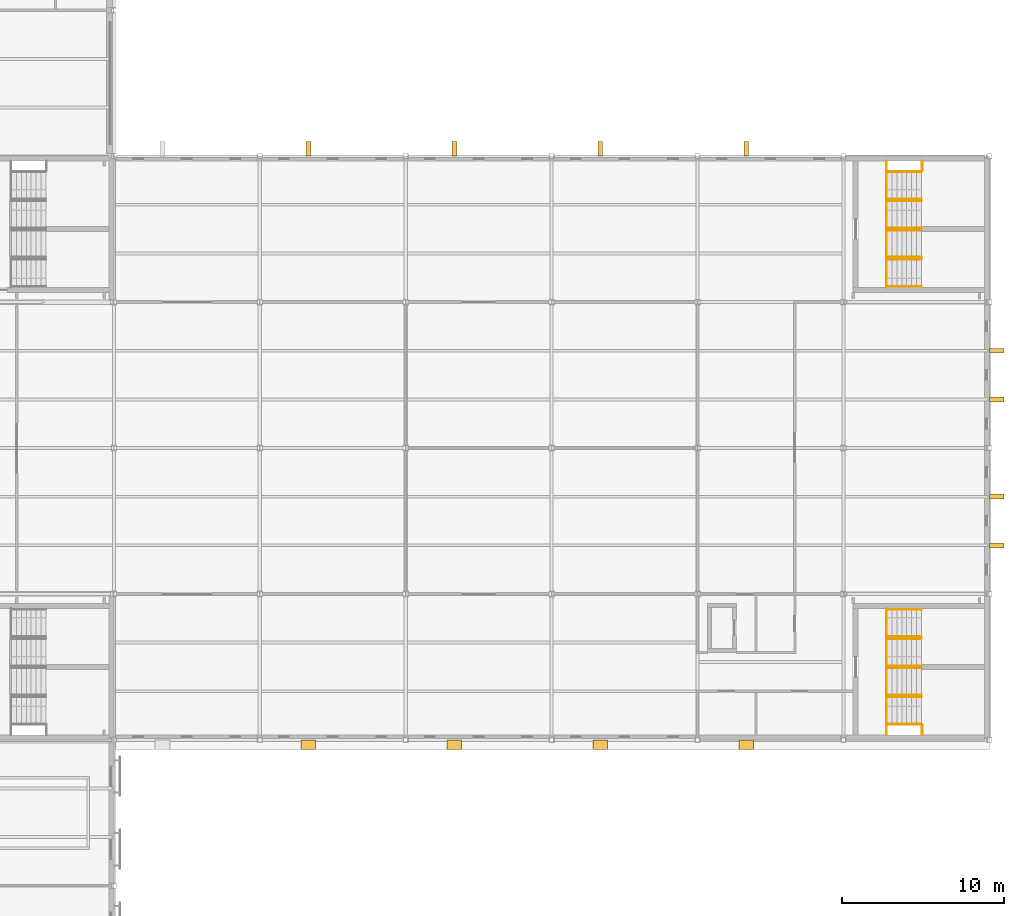
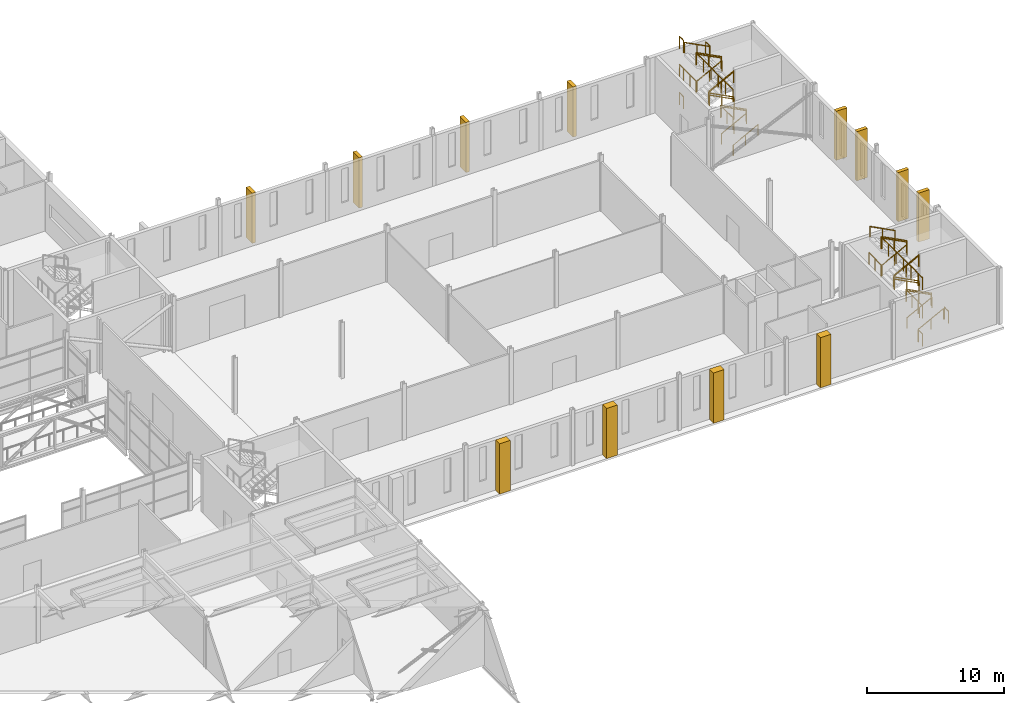
# One storey, part 115 of 115: 38 railings, 12 shading devices.
"""IFC4 building model written with IfcOpenShell, lengths in metres."""

from ifc_helpers import new_model, si_unit, direction, frame, origin, origin_2d, place, context, subcontext, project, spatial, rectangle, circle, extrude, material, layer, layer_set, type_object, element, save


model = new_model("IFC4")

# Units and contexts
model_context = context("Model", 3, precision=1e-05, world=origin(), true_north=direction((0.0, 1.0)))
body_context = subcontext(model_context, "Body", "Model", "MODEL_VIEW")
ifc_project = project(units=[si_unit("LENGTHUNIT", "METRE"), si_unit("AREAUNIT", "SQUARE_METRE"), si_unit("VOLUMEUNIT", "CUBIC_METRE"), si_unit("PLANEANGLEUNIT", "RADIAN"), si_unit("MASSUNIT", "GRAM", prefix="KILO")], contexts=[model_context])

# Site, building, storey
site_placement = place(None, origin())
site = spatial("IfcSite", under=ifc_project, at=site_placement, CompositionType="ELEMENT")
building_placement = place(site_placement, origin())
building = spatial("IfcBuilding", under=site, at=building_placement, Name="Shorebreak Coast Museum", CompositionType="ELEMENT")
storey_placement = place(building_placement, frame((0.0, 0.0, 11.0)))
storey = spatial("IfcBuildingStorey", under=building, at=storey_placement, Name="L02", CompositionType="ELEMENT", Elevation=11.0)

# Shading devices
ifc_material_1 = material(Name="Precast concrete C40/50", Category="concrete")
ifc_layer_1 = layer(ifc_material_1, 0.89990234375)
ifc_layer_set_1 = layer_set([ifc_layer_1], Name="Precast concrete C40/50")
shading_device_type_1 = type_object("IfcShadingDeviceType", Name="Precast rib 900 x 600", PredefinedType="USERDEFINED", material=ifc_layer_set_1)
for number, where, z_axis, x_axis, name in (
    (1, (129.0, 53.699951171875, 0.0), (0.0, 0.0, 1.0), (1.0, 0.0, 0.0), "Precast rib L02 S21"),
    (2, (138.0, 53.699951171875, 0.0), (0.0, 0.0, 1.0), (1.0, 0.0, 0.0), "Precast rib L02 S22"),
    (3, (147.0, 53.699951171875, 0.0), (0.0, 0.0, 1.0), (1.0, 0.0, 0.0), "Precast rib L02 S23"),
    (4, (156.0, 53.699951171875, 0.0), (0.0, 0.0, 1.0), (1.0, 0.0, 0.0), "Precast rib L02 S24"),
):
    element("IfcShadingDevice", number, at=place(storey_placement, frame(where, z_axis=z_axis, x_axis=x_axis)), inside=storey, type_object=shading_device_type_1, Name=name, ObjectType="FIN", PredefinedType="USERDEFINED", context=body_context, shape_type="SweptSolid", body=[
        extrude(rectangle(XDim=0.89990234375, YDim=0.60009765625, at=origin_2d()), origin(), (0.0, 0.0, 1.0), 4.469482421875),
    ])

# Railings
ifc_material_2 = material(Name="Steel Grade 300", Category="steel")
railing_type_1 = type_object("IfcRailingType", Name="Stair guard 1100", PredefinedType="GUARDRAIL", material=ifc_material_2)
for number, where, name in (
    (5, (164.64990234375, 54.89990234375, 2.5), "Guard ST07 L02 landing mid1"),
    (6, (164.64990234375, 60.300048828125, 2.5), "Guard ST07 L02 landing mid1"),
):
    element("IfcRailing", number, at=place(storey_placement, frame(where)), inside=storey, type_object=railing_type_1, Name=name, PredefinedType="GUARDRAIL", context=body_context, shape_type="SweptSolid", body=[
        extrude(circle(Radius=0.02490234375, at=origin_2d()), frame((0.0, 0.0, 1.0751953125), z_axis=(0.0, 1.0, 0.0), x_axis=(-1.0, 0.0, 0.0)), (0.0, 0.0, 1.0), 1.800048828125),
        extrude(circle(Radius=0.02001953125, at=origin_2d()), origin(), (0.0, 0.0, 1.0), 1.050048828125),
        extrude(circle(Radius=0.02001953125, at=origin_2d()), frame((0.0, 0.89990234375, 0.0)), (0.0, 0.0, 1.0), 1.050048828125),
        extrude(circle(Radius=0.02001953125, at=origin_2d()), frame((0.0, 1.800048828125, 0.0)), (0.0, 0.0, 1.0), 1.050048828125),
    ])
railing_1_placement = place(storey_placement, frame((164.64990234375, 54.89990234375, 5.0)))
element("IfcRailing", 7, at=railing_1_placement, inside=storey, type_object=railing_type_1, Name="Guard ST07 L02 landing top", PredefinedType="GUARDRAIL", context=body_context, shape_type="SweptSolid", body=[
    extrude(circle(Radius=0.02490234375, at=origin_2d()), frame((0.0, 0.0, 1.0751953125), z_axis=(0.0, 1.0, 0.0), x_axis=(-1.0, 0.0, 0.0)), (0.0, 0.0, 1.0), 5.400146484375),
    extrude(circle(Radius=0.02001953125, at=origin_2d()), origin(), (0.0, 0.0, 1.0), 1.050048828125),
    extrude(circle(Radius=0.02001953125, at=origin_2d()), frame((0.0, 1.080078125, 0.0)), (0.0, 0.0, 1.0), 1.050048828125),
    extrude(circle(Radius=0.02001953125, at=origin_2d()), frame((0.0, 2.16015625, 0.0)), (0.0, 0.0, 1.0), 1.050048828125),
    extrude(circle(Radius=0.02001953125, at=origin_2d()), frame((0.0, 3.239990234375, 0.0)), (0.0, 0.0, 1.0), 1.050048828125),
    extrude(circle(Radius=0.02001953125, at=origin_2d()), frame((0.0, 4.320068359375, 0.0)), (0.0, 0.0, 1.0), 1.050048828125),
    extrude(circle(Radius=0.02001953125, at=origin_2d()), frame((0.0, 5.400146484375, 0.0)), (0.0, 0.0, 1.0), 1.050048828125),
])
for number, where, name in (
    (8, (164.64990234375, 54.300048828125, 0.0), "Guard ST07 L02 landing strip"),
    (9, (164.64990234375, 54.300048828125, 2.5), "Guard ST07 L02 landing strip"),
    (10, (166.85009765625, 54.300048828125, 1.25), "Guard ST07 L02 landing strip"),
    (11, (164.64990234375, 54.300048828125, 5.0), "Guard ST07 L02 landing strip"),
):
    element("IfcRailing", number, at=place(storey_placement, frame(where)), inside=storey, type_object=railing_type_1, Name=name, PredefinedType="GUARDRAIL", context=body_context, shape_type="SweptSolid", body=[
        extrude(circle(Radius=0.02490234375, at=origin_2d()), frame((0.0, 0.0, 1.0751953125), z_axis=(0.0, 1.0, 0.0), x_axis=(-1.0, 0.0, 0.0)), (0.0, 0.0, 1.0), 0.599853515625),
        extrude(circle(Radius=0.02001953125, at=origin_2d()), origin(), (0.0, 0.0, 1.0), 1.050048828125),
        extrude(circle(Radius=0.02001953125, at=origin_2d()), frame((0.0, 0.599853515625, 0.0)), (0.0, 0.0, 1.0), 1.050048828125),
    ])
for number, where, name in (
    (12, (166.800048828125, 56.699951171875, 1.40625), "Guard ST07-L02 well 1"),
    (13, (166.800048828125, 60.300048828125, 3.90625), "Guard ST07-L02 well 2"),
    (14, (166.800048828125, 58.5, 1.40625), "Guard ST07-L02 side 1"),
):
    element("IfcRailing", number, at=place(storey_placement, frame(where)), inside=storey, type_object=railing_type_1, Name=name, PredefinedType="GUARDRAIL", context=body_context, shape_type="SweptSolid", body=[
        extrude(circle(Radius=0.02490234375, at=origin_2d()), frame((0.0, 0.0, 1.0751953125), z_axis=(-0.8869228845, 0.0, 0.461917521804), x_axis=(0.0, -1.0, 0.0)), (0.0, 0.0, 1.0), 2.367919921875),
        extrude(circle(Radius=0.02001953125, at=origin_2d()), origin(), (0.0, 0.0, 1.0), 1.050048828125),
        extrude(circle(Radius=0.02001953125, at=origin_2d()), frame((-1.050048828125, 0.0, 0.546875)), (0.0, 0.0, 1.0), 1.050048828125),
        extrude(circle(Radius=0.02001953125, at=origin_2d()), frame((-2.10009765625, 0.0, 1.09375)), (0.0, 0.0, 1.0), 1.050048828125),
    ])
railing_2_placement = place(storey_placement, frame((164.699951171875, 58.5, 2.65625)))
element("IfcRailing", 15, at=railing_2_placement, inside=storey, type_object=railing_type_1, Name="Guard ST07-L02 side 2", PredefinedType="GUARDRAIL", context=body_context, shape_type="SweptSolid", body=[
    extrude(circle(Radius=0.02490234375, at=origin_2d()), frame((0.0, 0.0, 1.0751953125), z_axis=(0.8869228845, 0.0, 0.461917521804), x_axis=(0.0, 1.0, 0.0)), (0.0, 0.0, 1.0), 2.367919921875),
    extrude(circle(Radius=0.02001953125, at=origin_2d()), origin(), (0.0, 0.0, 1.0), 1.050048828125),
    extrude(circle(Radius=0.02001953125, at=origin_2d()), frame((1.050048828125, 0.0, 0.546875)), (0.0, 0.0, 1.0), 1.050048828125),
    extrude(circle(Radius=0.02001953125, at=origin_2d()), frame((2.10009765625, 0.0, 1.09375)), (0.0, 0.0, 1.0), 1.050048828125),
])
for number, where, name in (
    (16, (164.64990234375, 81.89990234375, 2.5), "Guard ST08 L02 landing mid1"),
    (17, (164.64990234375, 87.300048828125, 2.5), "Guard ST08 L02 landing mid1"),
):
    element("IfcRailing", number, at=place(storey_placement, frame(where)), inside=storey, type_object=railing_type_1, Name=name, PredefinedType="GUARDRAIL", context=body_context, shape_type="SweptSolid", body=[
        extrude(circle(Radius=0.02490234375, at=origin_2d()), frame((0.0, 0.0, 1.0751953125), z_axis=(0.0, 1.0, 0.0), x_axis=(-1.0, 0.0, 0.0)), (0.0, 0.0, 1.0), 1.800048828125),
        extrude(circle(Radius=0.02001953125, at=origin_2d()), origin(), (0.0, 0.0, 1.0), 1.050048828125),
        extrude(circle(Radius=0.02001953125, at=origin_2d()), frame((0.0, 0.89990234375, 0.0)), (0.0, 0.0, 1.0), 1.050048828125),
        extrude(circle(Radius=0.02001953125, at=origin_2d()), frame((0.0, 1.800048828125, 0.0)), (0.0, 0.0, 1.0), 1.050048828125),
    ])
railing_3_placement = place(storey_placement, frame((164.64990234375, 81.89990234375, 5.0)))
element("IfcRailing", 18, at=railing_3_placement, inside=storey, type_object=railing_type_1, Name="Guard ST08 L02 landing top", PredefinedType="GUARDRAIL", context=body_context, shape_type="SweptSolid", body=[
    extrude(circle(Radius=0.02490234375, at=origin_2d()), frame((0.0, 0.0, 1.0751953125), z_axis=(0.0, 1.0, 0.0), x_axis=(-1.0, 0.0, 0.0)), (0.0, 0.0, 1.0), 5.400146484375),
    extrude(circle(Radius=0.02001953125, at=origin_2d()), origin(), (0.0, 0.0, 1.0), 1.050048828125),
    extrude(circle(Radius=0.02001953125, at=origin_2d()), frame((0.0, 1.080078125, 0.0)), (0.0, 0.0, 1.0), 1.050048828125),
    extrude(circle(Radius=0.02001953125, at=origin_2d()), frame((0.0, 2.16015625, 0.0)), (0.0, 0.0, 1.0), 1.050048828125),
    extrude(circle(Radius=0.02001953125, at=origin_2d()), frame((0.0, 3.239990234375, 0.0)), (0.0, 0.0, 1.0), 1.050048828125),
    extrude(circle(Radius=0.02001953125, at=origin_2d()), frame((0.0, 4.320068359375, 0.0)), (0.0, 0.0, 1.0), 1.050048828125),
    extrude(circle(Radius=0.02001953125, at=origin_2d()), frame((0.0, 5.400146484375, 0.0)), (0.0, 0.0, 1.0), 1.050048828125),
])
for number, where, name in (
    (19, (164.64990234375, 89.10009765625, 0.0), "Guard ST08 L02 landing strip"),
    (20, (164.64990234375, 89.10009765625, 2.5), "Guard ST08 L02 landing strip"),
    (21, (166.85009765625, 89.10009765625, 3.75), "Guard ST08 L02 landing strip"),
    (22, (164.64990234375, 89.10009765625, 5.0), "Guard ST08 L02 landing strip"),
):
    element("IfcRailing", number, at=place(storey_placement, frame(where)), inside=storey, type_object=railing_type_1, Name=name, PredefinedType="GUARDRAIL", context=body_context, shape_type="SweptSolid", body=[
        extrude(circle(Radius=0.02490234375, at=origin_2d()), frame((0.0, 0.0, 1.0751953125), z_axis=(0.0, 1.0, 0.0), x_axis=(-1.0, 0.0, 0.0)), (0.0, 0.0, 1.0), 0.599853515625),
        extrude(circle(Radius=0.02001953125, at=origin_2d()), origin(), (0.0, 0.0, 1.0), 1.050048828125),
        extrude(circle(Radius=0.02001953125, at=origin_2d()), frame((0.0, 0.599853515625, 0.0)), (0.0, 0.0, 1.0), 1.050048828125),
    ])
for number, where, name in (
    (23, (166.800048828125, 83.699951171875, 1.40625), "Guard ST08-L02 well 1"),
    (24, (166.800048828125, 87.300048828125, 3.90625), "Guard ST08-L02 well 2"),
    (25, (166.800048828125, 85.5, 1.40625), "Guard ST08-L02 side 1"),
):
    element("IfcRailing", number, at=place(storey_placement, frame(where)), inside=storey, type_object=railing_type_1, Name=name, PredefinedType="GUARDRAIL", context=body_context, shape_type="SweptSolid", body=[
        extrude(circle(Radius=0.02490234375, at=origin_2d()), frame((0.0, 0.0, 1.0751953125), z_axis=(-0.8869228845, 0.0, 0.461917521804), x_axis=(0.0, -1.0, 0.0)), (0.0, 0.0, 1.0), 2.367919921875),
        extrude(circle(Radius=0.02001953125, at=origin_2d()), origin(), (0.0, 0.0, 1.0), 1.050048828125),
        extrude(circle(Radius=0.02001953125, at=origin_2d()), frame((-1.050048828125, 0.0, 0.546875)), (0.0, 0.0, 1.0), 1.050048828125),
        extrude(circle(Radius=0.02001953125, at=origin_2d()), frame((-2.10009765625, 0.0, 1.09375)), (0.0, 0.0, 1.0), 1.050048828125),
    ])
railing_4_placement = place(storey_placement, frame((164.699951171875, 85.5, 2.65625)))
element("IfcRailing", 26, at=railing_4_placement, inside=storey, type_object=railing_type_1, Name="Guard ST08-L02 side 2", PredefinedType="GUARDRAIL", context=body_context, shape_type="SweptSolid", body=[
    extrude(circle(Radius=0.02490234375, at=origin_2d()), frame((0.0, 0.0, 1.0751953125), z_axis=(0.8869228845, 0.0, 0.461917521804), x_axis=(0.0, 1.0, 0.0)), (0.0, 0.0, 1.0), 2.367919921875),
    extrude(circle(Radius=0.02001953125, at=origin_2d()), origin(), (0.0, 0.0, 1.0), 1.050048828125),
    extrude(circle(Radius=0.02001953125, at=origin_2d()), frame((1.050048828125, 0.0, 0.546875)), (0.0, 0.0, 1.0), 1.050048828125),
    extrude(circle(Radius=0.02001953125, at=origin_2d()), frame((2.10009765625, 0.0, 1.09375)), (0.0, 0.0, 1.0), 1.050048828125),
])
ifc_material_3 = material(Name="Steel Grade 300", Category="steel")
railing_type_2 = type_object("IfcRailingType", Name="Stair handrail 950", PredefinedType="HANDRAIL", material=ifc_material_3)
for number, where, name in (
    (27, (164.699951171875, 54.9599609375, 0.15625), "Handrail ST07-L02 flight 1a"),
    (28, (164.699951171875, 56.639892578125, 0.15625), "Handrail ST07-L02 flight 1b"),
):
    element("IfcRailing", number, at=place(storey_placement, frame(where)), inside=storey, type_object=railing_type_2, Name=name, PredefinedType="HANDRAIL", context=body_context, shape_type="SweptSolid", body=[
        extrude(circle(Radius=0.02490234375, at=origin_2d()), frame((0.0, 0.0, 0.9248046875), z_axis=(0.8869228845, 0.0, 0.461917521804), x_axis=(0.0, 1.0, 0.0)), (0.0, 0.0, 1.0), 2.367919921875),
        extrude(circle(Radius=0.02001953125, at=origin_2d()), origin(), (0.0, 0.0, 1.0), 0.89990234375),
        extrude(circle(Radius=0.02001953125, at=origin_2d()), frame((1.050048828125, 0.0, 0.546875)), (0.0, 0.0, 1.0), 0.89990234375),
        extrude(circle(Radius=0.02001953125, at=origin_2d()), frame((2.10009765625, 0.0, 1.09375)), (0.0, 0.0, 1.0), 0.89990234375),
    ])
for number, where, name in (
    (29, (166.800048828125, 56.760009765625, 1.40625), "Handrail ST07-L02 flight 2a"),
    (30, (166.800048828125, 58.43994140625, 1.40625), "Handrail ST07-L02 flight 2b"),
):
    element("IfcRailing", number, at=place(storey_placement, frame(where)), inside=storey, type_object=railing_type_2, Name=name, PredefinedType="HANDRAIL", context=body_context, shape_type="SweptSolid", body=[
        extrude(circle(Radius=0.02490234375, at=origin_2d()), frame((0.0, 0.0, 0.9248046875), z_axis=(-0.8869228845, 0.0, 0.461917521804), x_axis=(0.0, -1.0, 0.0)), (0.0, 0.0, 1.0), 2.367919921875),
        extrude(circle(Radius=0.02001953125, at=origin_2d()), origin(), (0.0, 0.0, 1.0), 0.89990234375),
        extrude(circle(Radius=0.02001953125, at=origin_2d()), frame((-1.050048828125, 0.0, 0.546875)), (0.0, 0.0, 1.0), 0.89990234375),
        extrude(circle(Radius=0.02001953125, at=origin_2d()), frame((-2.10009765625, 0.0, 1.09375)), (0.0, 0.0, 1.0), 0.89990234375),
    ])
for number, where, name in (
    (31, (164.699951171875, 58.56005859375, 2.65625), "Handrail ST07-L02 flight 3a"),
    (32, (164.699951171875, 60.239990234375, 2.65625), "Handrail ST07-L02 flight 3b"),
):
    element("IfcRailing", number, at=place(storey_placement, frame(where)), inside=storey, type_object=railing_type_2, Name=name, PredefinedType="HANDRAIL", context=body_context, shape_type="SweptSolid", body=[
        extrude(circle(Radius=0.02490234375, at=origin_2d()), frame((0.0, 0.0, 0.9248046875), z_axis=(0.8869228845, 0.0, 0.461917521804), x_axis=(0.0, 1.0, 0.0)), (0.0, 0.0, 1.0), 2.367919921875),
        extrude(circle(Radius=0.02001953125, at=origin_2d()), origin(), (0.0, 0.0, 1.0), 0.89990234375),
        extrude(circle(Radius=0.02001953125, at=origin_2d()), frame((1.050048828125, 0.0, 0.546875)), (0.0, 0.0, 1.0), 0.89990234375),
        extrude(circle(Radius=0.02001953125, at=origin_2d()), frame((2.10009765625, 0.0, 1.09375)), (0.0, 0.0, 1.0), 0.89990234375),
    ])
for number, where, name in (
    (33, (166.800048828125, 60.360107421875, 3.90625), "Handrail ST07-L02 flight 4a"),
    (34, (166.800048828125, 62.0400390625, 3.90625), "Handrail ST07-L02 flight 4b"),
):
    element("IfcRailing", number, at=place(storey_placement, frame(where)), inside=storey, type_object=railing_type_2, Name=name, PredefinedType="HANDRAIL", context=body_context, shape_type="SweptSolid", body=[
        extrude(circle(Radius=0.02490234375, at=origin_2d()), frame((0.0, 0.0, 0.9248046875), z_axis=(-0.8869228845, 0.0, 0.461917521804), x_axis=(0.0, -1.0, 0.0)), (0.0, 0.0, 1.0), 2.367919921875),
        extrude(circle(Radius=0.02001953125, at=origin_2d()), origin(), (0.0, 0.0, 1.0), 0.89990234375),
        extrude(circle(Radius=0.02001953125, at=origin_2d()), frame((-1.050048828125, 0.0, 0.546875)), (0.0, 0.0, 1.0), 0.89990234375),
        extrude(circle(Radius=0.02001953125, at=origin_2d()), frame((-2.10009765625, 0.0, 1.09375)), (0.0, 0.0, 1.0), 0.89990234375),
    ])
for number, where, name in (
    (35, (164.699951171875, 81.9599609375, 0.15625), "Handrail ST08-L02 flight 1a"),
    (36, (164.699951171875, 83.639892578125, 0.15625), "Handrail ST08-L02 flight 1b"),
):
    element("IfcRailing", number, at=place(storey_placement, frame(where)), inside=storey, type_object=railing_type_2, Name=name, PredefinedType="HANDRAIL", context=body_context, shape_type="SweptSolid", body=[
        extrude(circle(Radius=0.02490234375, at=origin_2d()), frame((0.0, 0.0, 0.9248046875), z_axis=(0.8869228845, 0.0, 0.461917521804), x_axis=(0.0, 1.0, 0.0)), (0.0, 0.0, 1.0), 2.367919921875),
        extrude(circle(Radius=0.02001953125, at=origin_2d()), origin(), (0.0, 0.0, 1.0), 0.89990234375),
        extrude(circle(Radius=0.02001953125, at=origin_2d()), frame((1.050048828125, 0.0, 0.546875)), (0.0, 0.0, 1.0), 0.89990234375),
        extrude(circle(Radius=0.02001953125, at=origin_2d()), frame((2.10009765625, 0.0, 1.09375)), (0.0, 0.0, 1.0), 0.89990234375),
    ])
for number, where, name in (
    (37, (166.800048828125, 83.760009765625, 1.40625), "Handrail ST08-L02 flight 2a"),
    (38, (166.800048828125, 85.43994140625, 1.40625), "Handrail ST08-L02 flight 2b"),
):
    element("IfcRailing", number, at=place(storey_placement, frame(where)), inside=storey, type_object=railing_type_2, Name=name, PredefinedType="HANDRAIL", context=body_context, shape_type="SweptSolid", body=[
        extrude(circle(Radius=0.02490234375, at=origin_2d()), frame((0.0, 0.0, 0.9248046875), z_axis=(-0.8869228845, 0.0, 0.461917521804), x_axis=(0.0, -1.0, 0.0)), (0.0, 0.0, 1.0), 2.367919921875),
        extrude(circle(Radius=0.02001953125, at=origin_2d()), origin(), (0.0, 0.0, 1.0), 0.89990234375),
        extrude(circle(Radius=0.02001953125, at=origin_2d()), frame((-1.050048828125, 0.0, 0.546875)), (0.0, 0.0, 1.0), 0.89990234375),
        extrude(circle(Radius=0.02001953125, at=origin_2d()), frame((-2.10009765625, 0.0, 1.09375)), (0.0, 0.0, 1.0), 0.89990234375),
    ])
for number, where, name in (
    (39, (164.699951171875, 85.56005859375, 2.65625), "Handrail ST08-L02 flight 3a"),
    (40, (164.699951171875, 87.239990234375, 2.65625), "Handrail ST08-L02 flight 3b"),
):
    element("IfcRailing", number, at=place(storey_placement, frame(where)), inside=storey, type_object=railing_type_2, Name=name, PredefinedType="HANDRAIL", context=body_context, shape_type="SweptSolid", body=[
        extrude(circle(Radius=0.02490234375, at=origin_2d()), frame((0.0, 0.0, 0.9248046875), z_axis=(0.8869228845, 0.0, 0.461917521804), x_axis=(0.0, 1.0, 0.0)), (0.0, 0.0, 1.0), 2.367919921875),
        extrude(circle(Radius=0.02001953125, at=origin_2d()), origin(), (0.0, 0.0, 1.0), 0.89990234375),
        extrude(circle(Radius=0.02001953125, at=origin_2d()), frame((1.050048828125, 0.0, 0.546875)), (0.0, 0.0, 1.0), 0.89990234375),
        extrude(circle(Radius=0.02001953125, at=origin_2d()), frame((2.10009765625, 0.0, 1.09375)), (0.0, 0.0, 1.0), 0.89990234375),
    ])
for number, where, name in (
    (41, (166.800048828125, 87.360107421875, 3.90625), "Handrail ST08-L02 flight 4a"),
    (42, (166.800048828125, 89.0400390625, 3.90625), "Handrail ST08-L02 flight 4b"),
):
    element("IfcRailing", number, at=place(storey_placement, frame(where)), inside=storey, type_object=railing_type_2, Name=name, PredefinedType="HANDRAIL", context=body_context, shape_type="SweptSolid", body=[
        extrude(circle(Radius=0.02490234375, at=origin_2d()), frame((0.0, 0.0, 0.9248046875), z_axis=(-0.8869228845, 0.0, 0.461917521804), x_axis=(0.0, -1.0, 0.0)), (0.0, 0.0, 1.0), 2.367919921875),
        extrude(circle(Radius=0.02001953125, at=origin_2d()), origin(), (0.0, 0.0, 1.0), 0.89990234375),
        extrude(circle(Radius=0.02001953125, at=origin_2d()), frame((-1.050048828125, 0.0, 0.546875)), (0.0, 0.0, 1.0), 0.89990234375),
        extrude(circle(Radius=0.02001953125, at=origin_2d()), frame((-2.10009765625, 0.0, 1.09375)), (0.0, 0.0, 1.0), 0.89990234375),
    ])

# Shading devices
ifc_material_4 = material(Name="Concrete N50 (50 MPa)", Category="concrete")
ifc_layer_2 = layer(ifc_material_4, 0.300048828125)
ifc_layer_set_2 = layer_set([ifc_layer_2], Name="Concrete N50 (50 MPa)")
shading_device_type_2 = type_object("IfcShadingDeviceType", Name="Sun fin 300 x 900", PredefinedType="USERDEFINED", material=ifc_layer_set_2)
for number, where, z_axis, x_axis, name in (
    (43, (171.449951171875, 66.0, 0.0), (0.0, 0.0, 1.0), (1.0, 0.0, 0.0), "Sun fin L02 E11"),
    (44, (171.449951171875, 69.0, 0.0), (0.0, 0.0, 1.0), (1.0, 0.0, 0.0), "Sun fin L02 E12"),
    (45, (171.449951171875, 75.0, 0.0), (0.0, 0.0, 1.0), (1.0, 0.0, 0.0), "Sun fin L02 E13"),
    (46, (171.449951171875, 78.0, 0.0), (0.0, 0.0, 1.0), (1.0, 0.0, 0.0), "Sun fin L02 E14"),
):
    element("IfcShadingDevice", number, at=place(storey_placement, frame(where, z_axis=z_axis, x_axis=x_axis)), inside=storey, type_object=shading_device_type_2, Name=name, ObjectType="FIN", PredefinedType="USERDEFINED", context=body_context, shape_type="SweptSolid", body=[
        extrude(rectangle(XDim=0.89990234375, YDim=0.300048828125, at=origin_2d()), origin(), (0.0, 0.0, 1.0), 4.37109375),
    ])
for number, where, z_axis, x_axis, name in (
    (47, (129.0, 90.449951171875, 0.0), (0.0, 0.0, 1.0), (1.0, 0.0, 0.0), "Sun fin L02 N16"),
    (48, (138.0, 90.449951171875, 0.0), (0.0, 0.0, 1.0), (1.0, 0.0, 0.0), "Sun fin L02 N17"),
    (49, (147.0, 90.449951171875, 0.0), (0.0, 0.0, 1.0), (1.0, 0.0, 0.0), "Sun fin L02 N18"),
    (50, (156.0, 90.449951171875, 0.0), (0.0, 0.0, 1.0), (1.0, 0.0, 0.0), "Sun fin L02 N19"),
):
    element("IfcShadingDevice", number, at=place(storey_placement, frame(where, z_axis=z_axis, x_axis=x_axis)), inside=storey, type_object=shading_device_type_2, Name=name, ObjectType="FIN", PredefinedType="USERDEFINED", context=body_context, shape_type="SweptSolid", body=[
        extrude(rectangle(XDim=0.300048828125, YDim=0.89990234375, at=origin_2d()), origin(), (0.0, 0.0, 1.0), 4.469482421875),
    ])

save(model, "model.ifc")
